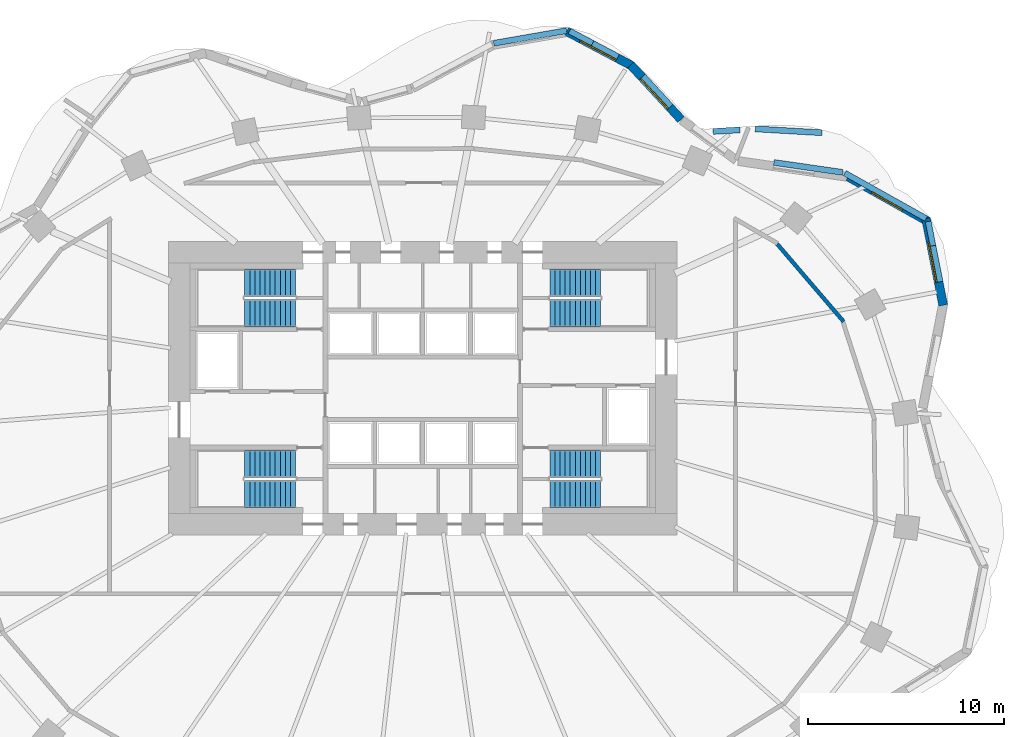
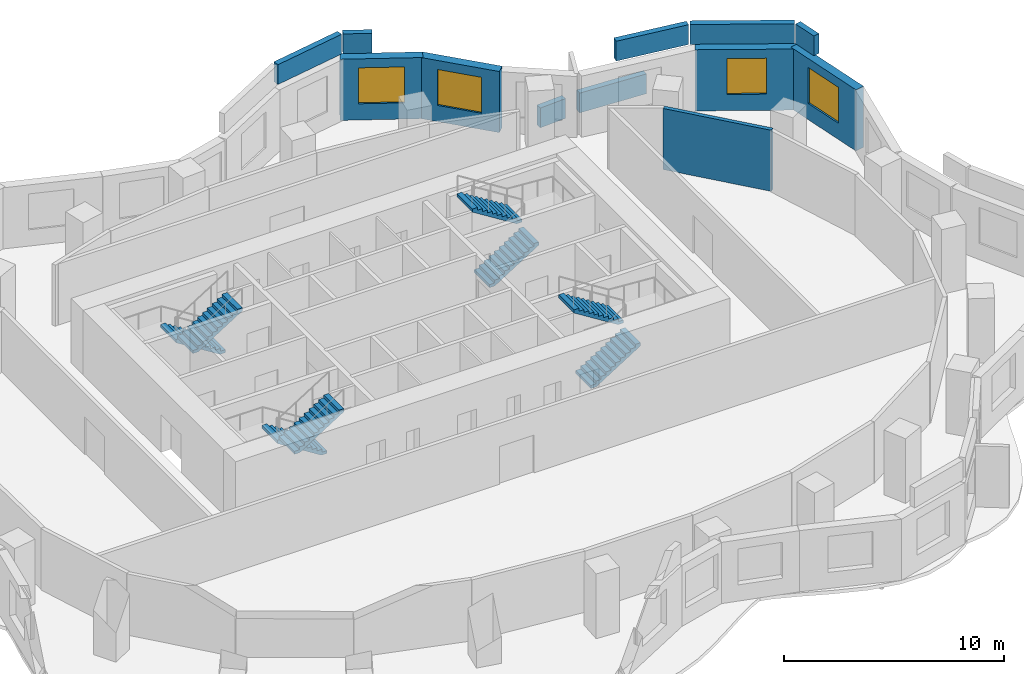
# One storey, part 7 of 8: 12 walls, 8 stair flights, 4 windows, 4 openings, 4 elements without a shape of their own.
"""IFC4 building model written with IfcOpenShell, lengths in metres."""

from ifc_helpers import new_model, si_unit, direction, frame, frame_2d, origin, place, context, subcontext, project, spatial, polyline, rectangle, outline, extrude, material, layer, layer_set, type_object, element, fill, aggregate, save


model = new_model("IFC4")

# Units and contexts
model_context = context("Model", 3, precision=1e-05, world=origin(), true_north=direction((0.0, 1.0)))
body_context = subcontext(model_context, "Body", "Model", "MODEL_VIEW")
ifc_project = project(units=[si_unit("LENGTHUNIT", "METRE"), si_unit("AREAUNIT", "SQUARE_METRE"), si_unit("VOLUMEUNIT", "CUBIC_METRE"), si_unit("PLANEANGLEUNIT", "RADIAN"), si_unit("MASSUNIT", "GRAM", prefix="KILO")], contexts=[model_context])

# Site, building, storey
site_placement = place(None, origin())
site = spatial("IfcSite", under=ifc_project, at=site_placement, CompositionType="ELEMENT")
building_placement = place(site_placement, origin())
building = spatial("IfcBuilding", under=site, at=building_placement, Name="Rubra Terraces Tower", CompositionType="ELEMENT")
storey_placement = place(building_placement, frame((0.0, 0.0, 106.800048828125)))
storey = spatial("IfcBuildingStorey", under=building, at=storey_placement, Name="L25", CompositionType="ELEMENT", Elevation=106.800048828125)

# Walls
ifc_material_1 = material(Name="Brick masonry red-brown", Category="masonry")
ifc_layer_1 = layer(ifc_material_1, 0.300048828125)
ifc_layer_set_1 = layer_set([ifc_layer_1], Name="Brick masonry red-brown")
wall_type_1 = type_object("IfcWallType", Name="Brick edge guard 300", PredefinedType="PARAPET", material=ifc_layer_set_1)
wall_1_placement = place(storey_placement, frame((14.84912109375, 17.634033203125, 0.0), z_axis=(0.0, 0.0, 1.0), x_axis=(0.998215844774, 0.059708686491, 0.0)))
element("IfcWall", 1, at=wall_1_placement, inside=storey, type_object=wall_type_1, Name="Edge guard L25.1", PredefinedType="PARAPET", context=body_context, shape_type="SweptSolid", body=[
    extrude(rectangle(XDim=1.3779296875, YDim=0.300048828125, at=frame_2d((0.68896484375, 0.0))), origin(), (0.0, 0.0, 1.0), 1.099853515625),
])
wall_2_placement = place(storey_placement, frame((17.00537109375, 17.764892578125, 0.0), z_axis=(0.0, 0.0, 1.0), x_axis=(0.99833431707, -0.05769394562, 0.0)))
element("IfcWall", 2, at=wall_2_placement, inside=storey, type_object=wall_type_1, Name="Edge guard L25.2", PredefinedType="PARAPET", context=body_context, shape_type="SweptSolid", body=[
    extrude(rectangle(XDim=3.41064453125, YDim=0.300048828125, at=frame_2d((1.705322265625, 0.0))), origin(), (0.0, 0.0, 1.0), 1.099853515625),
])

# Wall, opening, window
ifc_layer_2 = layer(ifc_material_1, 0.449951171875)
ifc_layer_set_2 = layer_set([ifc_layer_2], Name="Brick masonry red-brown")
wall_type_2 = type_object("IfcWallType", Name="Brick facade wall 450", PredefinedType="SOLIDWALL", material=ifc_layer_set_2)
wall_3_placement = place(storey_placement, frame((26.609619140625, 8.747802734375, 0.0), z_axis=(0.0, 0.0, 1.0), x_axis=(-0.193923166402, 0.981016720312, 0.0)))
wall_3 = element("IfcWall", 3, at=wall_3_placement, inside=storey, type_object=wall_type_2, Name="Facade wall L25 bay 3", PredefinedType="SOLIDWALL", context=body_context, shape_type="SweptSolid", body=[
    extrude(rectangle(XDim=4.518310546875, YDim=0.449951171875, at=frame_2d((2.25927734375, 0.0))), origin(), (0.0, 0.0, 1.0), 3.39990234375),
])
opening_1_placement = place(wall_3_placement, frame((1.209228515625, 0.0, 0.89990234375)))
opening_1 = element("IfcOpeningElement", 4, at=opening_1_placement, cuts=wall_3, Name="Opening W1", PredefinedType="OPENING", context=body_context, shape_type="SweptSolid", body=[
    extrude(rectangle(XDim=2.10009765625, YDim=2.0, at=frame_2d((1.050048828125, 1.0))), frame((0.0, 0.23486328125, 0.0), z_axis=(0.0, -1.0, 0.0), x_axis=(1.0, 0.0, 0.0)), (0.0, 0.0, 1.0), 0.469970703125),
])
ifc_material_2 = material(Name="Clear glass in aluminium frame", Category="aluminium")
window_type_1 = type_object("IfcWindowType", Name="Fixed deep-set window 2100 x 2000", PartitioningType="SINGLE_PANEL", PredefinedType="WINDOW", material=ifc_material_2)
window_1_placement = place(opening_1_placement, origin())
window_1 = element("IfcWindow", 5, at=window_1_placement, inside=storey, type_object=window_type_1, Name="Window L25 bay 3", OverallHeight=2.0, OverallWidth=2.10009765625, PartitioningType="SINGLE_PANEL", PredefinedType="WINDOW", context=body_context, shape_type="SweptSolid", body=[
    extrude(rectangle(XDim=2.10009765625, YDim=2.0, at=frame_2d((1.050048828125, 1.0))), frame((0.0, 0.135009765625, 0.0), z_axis=(0.0, -1.0, 0.0), x_axis=(1.0, 0.0, 0.0)), (0.0, 0.0, 1.0), 0.06005859375),
])
fill(opening_1, window_1)

wall_4_placement = place(storey_placement, frame((25.843994140625, 13.027587890625, 0.0), z_axis=(0.0, 0.0, 1.0), x_axis=(-0.872346398261, 0.488888291373, 0.0)))
wall_4 = element("IfcWall", 6, at=wall_4_placement, inside=storey, type_object=wall_type_2, Name="Facade wall L25 bay 4", PredefinedType="SOLIDWALL", context=body_context, shape_type="SweptSolid", body=[
    extrude(rectangle(XDim=4.696044921875, YDim=0.449951171875, at=frame_2d((2.34814453125, 0.0))), origin(), (0.0, 0.0, 1.0), 3.39990234375),
])
opening_2_placement = place(wall_4_placement, frame((1.447998046875, 0.0, 0.89990234375)))
opening_2 = element("IfcOpeningElement", 7, at=opening_2_placement, cuts=wall_4, Name="Opening W6", PredefinedType="OPENING", context=body_context, shape_type="SweptSolid", body=[
    extrude(rectangle(XDim=1.800048828125, YDim=2.0, at=frame_2d((0.89990234375, 1.0))), frame((0.0, 0.23486328125, 0.0), z_axis=(0.0, -1.0, 0.0), x_axis=(1.0, 0.0, 0.0)), (0.0, 0.0, 1.0), 0.469970703125),
])
window_type_2 = type_object("IfcWindowType", Name="Fixed deep-set window at wind fin 1800 x 2000", PartitioningType="SINGLE_PANEL", PredefinedType="WINDOW", material=ifc_material_2)
window_2_placement = place(opening_2_placement, origin())
window_2 = element("IfcWindow", 8, at=window_2_placement, inside=storey, type_object=window_type_2, Name="Window L25 bay 4", OverallHeight=2.0, OverallWidth=1.800048828125, PartitioningType="SINGLE_PANEL", PredefinedType="WINDOW", context=body_context, shape_type="SweptSolid", body=[
    extrude(rectangle(XDim=1.800048828125, YDim=2.0, at=frame_2d((0.89990234375, 1.0))), frame((0.0, 0.135009765625, 0.0), z_axis=(0.0, -1.0, 0.0), x_axis=(1.0, 0.0, 0.0)), (0.0, 0.0, 1.0), 0.06005859375),
])
fill(opening_2, window_2)

wall_5_placement = place(storey_placement, frame((13.20947265625, 18.242919921875, 0.0), z_axis=(0.0, 0.0, 1.0), x_axis=(-0.677612152497, 0.735419452278, 0.0)))
wall_5 = element("IfcWall", 9, at=wall_5_placement, inside=storey, type_object=wall_type_2, Name="Facade wall L25 bay 7", PredefinedType="SOLIDWALL", context=body_context, shape_type="SweptSolid", body=[
    extrude(rectangle(XDim=3.796875, YDim=0.449951171875, at=frame_2d((1.8984375, 0.0))), origin(), (0.0, 0.0, 1.0), 3.39990234375),
])
opening_3_placement = place(wall_5_placement, frame((0.848388671875, 0.0, 0.89990234375)))
opening_3 = element("IfcOpeningElement", 10, at=opening_3_placement, cuts=wall_5, Name="Opening W1", PredefinedType="OPENING", context=body_context, shape_type="SweptSolid", body=[
    extrude(rectangle(XDim=2.10009765625, YDim=2.0, at=frame_2d((1.050048828125, 1.0))), frame((0.0, 0.23486328125, 0.0), z_axis=(0.0, -1.0, 0.0), x_axis=(1.0, 0.0, 0.0)), (0.0, 0.0, 1.0), 0.469970703125),
])
window_3_placement = place(opening_3_placement, origin())
window_3 = element("IfcWindow", 11, at=window_3_placement, inside=storey, type_object=window_type_1, Name="Window L25 bay 7", OverallHeight=2.0, OverallWidth=2.10009765625, PartitioningType="SINGLE_PANEL", PredefinedType="WINDOW", context=body_context, shape_type="SweptSolid", body=[
    extrude(rectangle(XDim=2.10009765625, YDim=2.0, at=frame_2d((1.050048828125, 1.0))), frame((0.0, 0.135009765625, 0.0), z_axis=(0.0, -1.0, 0.0), x_axis=(1.0, 0.0, 0.0)), (0.0, 0.0, 1.0), 0.06005859375),
])
fill(opening_3, window_3)

wall_6_placement = place(storey_placement, frame((10.692626953125, 20.9931640625, 0.0), z_axis=(0.0, 0.0, 1.0), x_axis=(-0.883817790726, 0.46783128668, 0.0)))
wall_6 = element("IfcWall", 12, at=wall_6_placement, inside=storey, type_object=wall_type_2, Name="Facade wall L25 bay 8", PredefinedType="SOLIDWALL", context=body_context, shape_type="SweptSolid", body=[
    extrude(rectangle(XDim=3.776611328125, YDim=0.449951171875, at=frame_2d((1.88818359375, 0.0))), origin(), (0.0, 0.0, 1.0), 3.39990234375),
])
opening_4_placement = place(wall_6_placement, frame((0.83837890625, 0.0, 0.89990234375)))
opening_4 = element("IfcOpeningElement", 13, at=opening_4_placement, cuts=wall_6, Name="Opening W1", PredefinedType="OPENING", context=body_context, shape_type="SweptSolid", body=[
    extrude(rectangle(XDim=2.10009765625, YDim=2.0, at=frame_2d((1.050048828125, 1.0))), frame((0.0, 0.23486328125, 0.0), z_axis=(0.0, -1.0, 0.0), x_axis=(1.0, 0.0, 0.0)), (0.0, 0.0, 1.0), 0.469970703125),
])
window_4_placement = place(opening_4_placement, origin())
window_4 = element("IfcWindow", 14, at=window_4_placement, inside=storey, type_object=window_type_1, Name="Window L25 bay 8", OverallHeight=2.0, OverallWidth=2.10009765625, PartitioningType="SINGLE_PANEL", PredefinedType="WINDOW", context=body_context, shape_type="SweptSolid", body=[
    extrude(rectangle(XDim=2.10009765625, YDim=2.0, at=frame_2d((1.050048828125, 1.0))), frame((0.0, 0.135009765625, 0.0), z_axis=(0.0, -1.0, 0.0), x_axis=(1.0, 0.0, 0.0)), (0.0, 0.0, 1.0), 0.06005859375),
])
fill(opening_4, window_4)

# Walls
ifc_layer_3 = layer(ifc_material_1, 0.300048828125)
ifc_layer_set_3 = layer_set([ifc_layer_3], Name="Brick masonry red-brown")
wall_type_3 = type_object("IfcWallType", Name="Brick parapet 300", PredefinedType="PARAPET", material=ifc_layer_set_3)
wall_7_placement = place(storey_placement, frame((26.084228515625, 11.791748046875, 3.599853515625), z_axis=(0.0, 0.0, 1.0), x_axis=(-0.193846183911, 0.981031934742, 0.0)))
element("IfcWall", 15, at=wall_7_placement, inside=storey, type_object=wall_type_3, Name="Parapet L25 bay 3", PredefinedType="PARAPET", context=body_context, shape_type="SweptSolid", body=[
    extrude(rectangle(XDim=1.261962890625, YDim=0.300048828125, at=frame_2d((0.630859375, 0.0))), origin(), (0.0, 0.0, 1.0), 1.10009765625),
])
wall_8_placement = place(storey_placement, frame((25.733642578125, 13.175537109375, 3.599853515625), z_axis=(0.0, 0.0, 1.0), x_axis=(-0.872345142407, 0.488890532245, 0.0)))
element("IfcWall", 16, at=wall_8_placement, inside=storey, type_object=wall_type_3, Name="Parapet L25 bay 4", PredefinedType="PARAPET", context=body_context, shape_type="SweptSolid", body=[
    extrude(rectangle(XDim=4.762939453125, YDim=0.300048828125, at=frame_2d((2.38134765625, 0.0))), origin(), (0.0, 0.0, 1.0), 1.10009765625),
])
wall_9_placement = place(storey_placement, frame((21.470703125, 15.540771484375, 3.599853515625), z_axis=(0.0, 0.0, 1.0), x_axis=(-0.989713234374, 0.143065417571, 0.0)))
element("IfcWall", 17, at=wall_9_placement, inside=storey, type_object=wall_type_3, Name="Parapet L25 bay 5", PredefinedType="PARAPET", context=body_context, shape_type="SweptSolid", body=[
    extrude(rectangle(XDim=3.5546875, YDim=0.300048828125, at=frame_2d((1.77734375, 0.0))), origin(), (0.0, 0.0, 1.0), 1.10009765625),
])
wall_10_placement = place(storey_placement, frame((8.681640625, 22.142578125, 3.599853515625), z_axis=(0.0, 0.0, 1.0), x_axis=(-0.883787916347, 0.467887720419, 0.0)))
element("IfcWall", 18, at=wall_10_placement, inside=storey, type_object=wall_type_3, Name="Parapet L25 bay 8", PredefinedType="PARAPET", context=body_context, shape_type="SweptSolid", body=[
    extrude(rectangle(XDim=1.3291015625, YDim=0.300048828125, at=frame_2d((0.66455078125, 0.0))), origin(), (0.0, 0.0, 1.0), 1.10009765625),
])
wall_11_placement = place(storey_placement, frame((7.35498046875, 22.78857421875, 3.599853515625), z_axis=(0.0, 0.0, 1.0), x_axis=(-0.985197529684, -0.171422949176, 0.0)))
element("IfcWall", 19, at=wall_11_placement, inside=storey, type_object=wall_type_3, Name="Parapet L25 bay 9", PredefinedType="PARAPET", context=body_context, shape_type="SweptSolid", body=[
    extrude(rectangle(XDim=3.77978515625, YDim=0.300048828125, at=frame_2d((1.889892578125, 0.0))), origin(), (0.0, 0.0, 1.0), 1.10009765625),
])
ifc_material_3 = material(Name="Blockwork", Category="masonry")
ifc_layer_4 = layer(ifc_material_3, 0.199951171875)
ifc_layer_set_4 = layer_set([ifc_layer_4], Name="Blockwork")
wall_type_4 = type_object("IfcWallType", Name="Corridor partition 200 blockwork", PredefinedType="PARTITIONING", material=ifc_layer_set_4)
wall_12_placement = place(storey_placement, frame((18.118896484375, 11.885009765625, 0.0), z_axis=(0.0, 0.0, 1.0), x_axis=(0.650510608515, -0.759497168006, 0.0)))
element("IfcWall", 20, at=wall_12_placement, inside=storey, type_object=wall_type_4, Name="Partition wall", PredefinedType="PARTITIONING", context=body_context, shape_type="SweptSolid", body=[
    extrude(rectangle(XDim=5.228271484375, YDim=0.199951171875, at=frame_2d((2.6142578125, 0.0))), origin(), (0.0, 0.0, 1.0), 3.39990234375),
])

# Stair, stair flights
ifc_material_4 = material(Name="Concrete C40", Category="concrete")
stair_type = type_object("IfcStairType", Name="Core stair 1400", PredefinedType="HALF_TURN_STAIR", material=ifc_material_4)
stair_1_placement = place(storey_placement, origin())
stair_1 = element("IfcStair", 21, at=stair_1_placement, inside=storey, type_object=stair_type, Name="L25 Exit stair S1", PredefinedType="HALF_TURN_STAIR")
stair_flight_type = type_object("IfcStairFlightType", Name="Core stair flight 1400", PredefinedType="STRAIGHT", material=ifc_material_4)
stair_flight_1_placement = place(storey_placement, frame((-6.5, 0.64990234375, 0.0), z_axis=(0.0, 0.0, 1.0), x_axis=(-1.0, 0.0, 0.0)))
stair_flight_1 = element("IfcStairFlight", 22, at=stair_flight_1_placement, type_object=stair_flight_type, Name="S1 flight 1", NumberOfRisers=11, NumberOfTreads=10, PredefinedType="STRAIGHT", RiserHeight=0.163636364, TreadLength=0.26, context=body_context, shape_type="SweptSolid", body=[
    extrude(outline(polyline([(0.0, 0.0), (0.0, 0.16357421875), (0.260009765625, 0.16357421875), (0.260009765625, 0.327392578125), (0.52001953125, 0.327392578125), (0.52001953125, 0.490966796875), (0.780029296875, 0.490966796875), (0.780029296875, 0.654541015625), (1.0400390625, 0.654541015625), (1.0400390625, 0.818115234375), (1.300048828125, 0.818115234375), (1.300048828125, 0.98193359375), (1.56005859375, 0.98193359375), (1.56005859375, 1.1455078125), (1.820068359375, 1.1455078125), (1.820068359375, 1.30908203125), (2.080078125, 1.30908203125), (2.080078125, 1.47265625), (2.340087890625, 1.47265625), (2.340087890625, 1.636474609375), (2.60009765625, 1.636474609375), (2.60009765625, 1.800048828125), (2.60009765625, 1.459228515625), (0.281494140625, 0.0), (0.0, 0.0)])), frame((0.0, 0.699951171875, 0.0), z_axis=(0.0, -1.0, 0.0), x_axis=(1.0, 0.0, 0.0)), (0.0, 0.0, 1.0), 1.39990234375),
])
stair_flight_2_placement = place(storey_placement, frame((-9.10009765625, -0.89990234375, 1.800048828125), z_axis=(0.0, 0.0, 1.0), x_axis=(1.0, 0.0, 0.0)))
stair_flight_2 = element("IfcStairFlight", 23, at=stair_flight_2_placement, type_object=stair_flight_type, Name="S1 flight 2", NumberOfRisers=11, NumberOfTreads=10, PredefinedType="STRAIGHT", RiserHeight=0.163636364, TreadLength=0.26, context=body_context, shape_type="SweptSolid", body=[
    extrude(outline(polyline([(0.0, 0.0), (0.0, 0.16357421875), (0.260009765625, 0.16357421875), (0.260009765625, 0.327392578125), (0.52001953125, 0.327392578125), (0.52001953125, 0.490966796875), (0.780029296875, 0.490966796875), (0.780029296875, 0.654541015625), (1.0400390625, 0.654541015625), (1.0400390625, 0.818115234375), (1.300048828125, 0.818115234375), (1.300048828125, 0.98193359375), (1.56005859375, 0.98193359375), (1.56005859375, 1.1455078125), (1.820068359375, 1.1455078125), (1.820068359375, 1.30908203125), (2.080078125, 1.30908203125), (2.080078125, 1.47265625), (2.340087890625, 1.47265625), (2.340087890625, 1.636474609375), (2.60009765625, 1.636474609375), (2.60009765625, 1.800048828125), (2.60009765625, 1.459228515625), (0.281494140625, 0.0), (0.0, 0.0)])), frame((0.0, 0.699951171875, 0.0), z_axis=(0.0, -1.0, 0.0), x_axis=(1.0, 0.0, 0.0)), (0.0, 0.0, 1.0), 1.39990234375),
])
aggregate(stair_1, [stair_flight_1, stair_flight_2])

stair_2_placement = place(storey_placement, origin())
stair_2 = element("IfcStair", 24, at=stair_2_placement, inside=storey, type_object=stair_type, Name="L25 Exit stair S2", PredefinedType="HALF_TURN_STAIR")
stair_flight_3_placement = place(storey_placement, frame((-6.5, 9.89990234375, 0.0), z_axis=(0.0, 0.0, 1.0), x_axis=(-1.0, 0.0, 0.0)))
stair_flight_3 = element("IfcStairFlight", 25, at=stair_flight_3_placement, type_object=stair_flight_type, Name="S2 flight 1", NumberOfRisers=11, NumberOfTreads=10, PredefinedType="STRAIGHT", RiserHeight=0.163636364, TreadLength=0.26, context=body_context, shape_type="SweptSolid", body=[
    extrude(outline(polyline([(0.0, 0.0), (0.0, 0.16357421875), (0.260009765625, 0.16357421875), (0.260009765625, 0.327392578125), (0.52001953125, 0.327392578125), (0.52001953125, 0.490966796875), (0.780029296875, 0.490966796875), (0.780029296875, 0.654541015625), (1.0400390625, 0.654541015625), (1.0400390625, 0.818115234375), (1.300048828125, 0.818115234375), (1.300048828125, 0.98193359375), (1.56005859375, 0.98193359375), (1.56005859375, 1.1455078125), (1.820068359375, 1.1455078125), (1.820068359375, 1.30908203125), (2.080078125, 1.30908203125), (2.080078125, 1.47265625), (2.340087890625, 1.47265625), (2.340087890625, 1.636474609375), (2.60009765625, 1.636474609375), (2.60009765625, 1.800048828125), (2.60009765625, 1.459228515625), (0.281494140625, 0.0), (0.0, 0.0)])), frame((0.0, 0.699951171875, 0.0), z_axis=(0.0, -1.0, 0.0), x_axis=(1.0, 0.0, 0.0)), (0.0, 0.0, 1.0), 1.39990234375),
])
stair_flight_4_placement = place(storey_placement, frame((-9.10009765625, 8.35009765625, 1.800048828125), z_axis=(0.0, 0.0, 1.0), x_axis=(1.0, 0.0, 0.0)))
stair_flight_4 = element("IfcStairFlight", 26, at=stair_flight_4_placement, type_object=stair_flight_type, Name="S2 flight 2", NumberOfRisers=11, NumberOfTreads=10, PredefinedType="STRAIGHT", RiserHeight=0.163636364, TreadLength=0.26, context=body_context, shape_type="SweptSolid", body=[
    extrude(outline(polyline([(0.0, 0.0), (0.0, 0.16357421875), (0.260009765625, 0.16357421875), (0.260009765625, 0.327392578125), (0.52001953125, 0.327392578125), (0.52001953125, 0.490966796875), (0.780029296875, 0.490966796875), (0.780029296875, 0.654541015625), (1.0400390625, 0.654541015625), (1.0400390625, 0.818115234375), (1.300048828125, 0.818115234375), (1.300048828125, 0.98193359375), (1.56005859375, 0.98193359375), (1.56005859375, 1.1455078125), (1.820068359375, 1.1455078125), (1.820068359375, 1.30908203125), (2.080078125, 1.30908203125), (2.080078125, 1.47265625), (2.340087890625, 1.47265625), (2.340087890625, 1.636474609375), (2.60009765625, 1.636474609375), (2.60009765625, 1.800048828125), (2.60009765625, 1.459228515625), (0.281494140625, 0.0), (0.0, 0.0)])), frame((0.0, 0.699951171875, 0.0), z_axis=(0.0, -1.0, 0.0), x_axis=(1.0, 0.0, 0.0)), (0.0, 0.0, 1.0), 1.39990234375),
])
aggregate(stair_2, [stair_flight_3, stair_flight_4])

stair_3_placement = place(storey_placement, origin())
stair_3 = element("IfcStair", 27, at=stair_3_placement, inside=storey, type_object=stair_type, Name="L25 Exit stair S3", PredefinedType="HALF_TURN_STAIR")
stair_flight_5_placement = place(storey_placement, frame((6.5, 8.35009765625, 0.0), z_axis=(0.0, 0.0, 1.0), x_axis=(1.0, 0.0, 0.0)))
stair_flight_5 = element("IfcStairFlight", 28, at=stair_flight_5_placement, type_object=stair_flight_type, Name="S3 flight 1", NumberOfRisers=11, NumberOfTreads=10, PredefinedType="STRAIGHT", RiserHeight=0.163636364, TreadLength=0.26, context=body_context, shape_type="SweptSolid", body=[
    extrude(outline(polyline([(0.0, 0.0), (0.0, 0.16357421875), (0.260009765625, 0.16357421875), (0.260009765625, 0.327392578125), (0.52001953125, 0.327392578125), (0.52001953125, 0.490966796875), (0.780029296875, 0.490966796875), (0.780029296875, 0.654541015625), (1.0400390625, 0.654541015625), (1.0400390625, 0.818115234375), (1.300048828125, 0.818115234375), (1.300048828125, 0.98193359375), (1.56005859375, 0.98193359375), (1.56005859375, 1.1455078125), (1.820068359375, 1.1455078125), (1.820068359375, 1.30908203125), (2.080078125, 1.30908203125), (2.080078125, 1.47265625), (2.340087890625, 1.47265625), (2.340087890625, 1.636474609375), (2.60009765625, 1.636474609375), (2.60009765625, 1.800048828125), (2.60009765625, 1.459228515625), (0.281494140625, 0.0), (0.0, 0.0)])), frame((0.0, 0.699951171875, 0.0), z_axis=(0.0, -1.0, 0.0), x_axis=(1.0, 0.0, 0.0)), (0.0, 0.0, 1.0), 1.39990234375),
])
stair_flight_6_placement = place(storey_placement, frame((9.10009765625, 9.89990234375, 1.800048828125), z_axis=(0.0, 0.0, 1.0), x_axis=(-1.0, 0.0, 0.0)))
stair_flight_6 = element("IfcStairFlight", 29, at=stair_flight_6_placement, type_object=stair_flight_type, Name="S3 flight 2", NumberOfRisers=11, NumberOfTreads=10, PredefinedType="STRAIGHT", RiserHeight=0.163636364, TreadLength=0.26, context=body_context, shape_type="SweptSolid", body=[
    extrude(outline(polyline([(0.0, 0.0), (0.0, 0.16357421875), (0.260009765625, 0.16357421875), (0.260009765625, 0.327392578125), (0.52001953125, 0.327392578125), (0.52001953125, 0.490966796875), (0.780029296875, 0.490966796875), (0.780029296875, 0.654541015625), (1.0400390625, 0.654541015625), (1.0400390625, 0.818115234375), (1.300048828125, 0.818115234375), (1.300048828125, 0.98193359375), (1.56005859375, 0.98193359375), (1.56005859375, 1.1455078125), (1.820068359375, 1.1455078125), (1.820068359375, 1.30908203125), (2.080078125, 1.30908203125), (2.080078125, 1.47265625), (2.340087890625, 1.47265625), (2.340087890625, 1.636474609375), (2.60009765625, 1.636474609375), (2.60009765625, 1.800048828125), (2.60009765625, 1.459228515625), (0.281494140625, 0.0), (0.0, 0.0)])), frame((0.0, 0.699951171875, 0.0), z_axis=(0.0, -1.0, 0.0), x_axis=(1.0, 0.0, 0.0)), (0.0, 0.0, 1.0), 1.39990234375),
])
aggregate(stair_3, [stair_flight_5, stair_flight_6])

stair_4_placement = place(storey_placement, origin())
stair_4 = element("IfcStair", 30, at=stair_4_placement, inside=storey, type_object=stair_type, Name="L25 Exit stair S4", PredefinedType="HALF_TURN_STAIR")
stair_flight_7_placement = place(storey_placement, frame((6.5, -0.89990234375, 0.0), z_axis=(0.0, 0.0, 1.0), x_axis=(1.0, 0.0, 0.0)))
stair_flight_7 = element("IfcStairFlight", 31, at=stair_flight_7_placement, type_object=stair_flight_type, Name="S4 flight 1", NumberOfRisers=11, NumberOfTreads=10, PredefinedType="STRAIGHT", RiserHeight=0.163636364, TreadLength=0.26, context=body_context, shape_type="SweptSolid", body=[
    extrude(outline(polyline([(0.0, 0.0), (0.0, 0.16357421875), (0.260009765625, 0.16357421875), (0.260009765625, 0.327392578125), (0.52001953125, 0.327392578125), (0.52001953125, 0.490966796875), (0.780029296875, 0.490966796875), (0.780029296875, 0.654541015625), (1.0400390625, 0.654541015625), (1.0400390625, 0.818115234375), (1.300048828125, 0.818115234375), (1.300048828125, 0.98193359375), (1.56005859375, 0.98193359375), (1.56005859375, 1.1455078125), (1.820068359375, 1.1455078125), (1.820068359375, 1.30908203125), (2.080078125, 1.30908203125), (2.080078125, 1.47265625), (2.340087890625, 1.47265625), (2.340087890625, 1.636474609375), (2.60009765625, 1.636474609375), (2.60009765625, 1.800048828125), (2.60009765625, 1.459228515625), (0.281494140625, 0.0), (0.0, 0.0)])), frame((0.0, 0.699951171875, 0.0), z_axis=(0.0, -1.0, 0.0), x_axis=(1.0, 0.0, 0.0)), (0.0, 0.0, 1.0), 1.39990234375),
])
stair_flight_8_placement = place(storey_placement, frame((9.10009765625, 0.64990234375, 1.800048828125), z_axis=(0.0, 0.0, 1.0), x_axis=(-1.0, 0.0, 0.0)))
stair_flight_8 = element("IfcStairFlight", 32, at=stair_flight_8_placement, type_object=stair_flight_type, Name="S4 flight 2", NumberOfRisers=11, NumberOfTreads=10, PredefinedType="STRAIGHT", RiserHeight=0.163636364, TreadLength=0.26, context=body_context, shape_type="SweptSolid", body=[
    extrude(outline(polyline([(0.0, 0.0), (0.0, 0.16357421875), (0.260009765625, 0.16357421875), (0.260009765625, 0.327392578125), (0.52001953125, 0.327392578125), (0.52001953125, 0.490966796875), (0.780029296875, 0.490966796875), (0.780029296875, 0.654541015625), (1.0400390625, 0.654541015625), (1.0400390625, 0.818115234375), (1.300048828125, 0.818115234375), (1.300048828125, 0.98193359375), (1.56005859375, 0.98193359375), (1.56005859375, 1.1455078125), (1.820068359375, 1.1455078125), (1.820068359375, 1.30908203125), (2.080078125, 1.30908203125), (2.080078125, 1.47265625), (2.340087890625, 1.47265625), (2.340087890625, 1.636474609375), (2.60009765625, 1.636474609375), (2.60009765625, 1.800048828125), (2.60009765625, 1.459228515625), (0.281494140625, 0.0), (0.0, 0.0)])), frame((0.0, 0.699951171875, 0.0), z_axis=(0.0, -1.0, 0.0), x_axis=(1.0, 0.0, 0.0)), (0.0, 0.0, 1.0), 1.39990234375),
])
aggregate(stair_4, [stair_flight_7, stair_flight_8])

save(model, "model.ifc")
